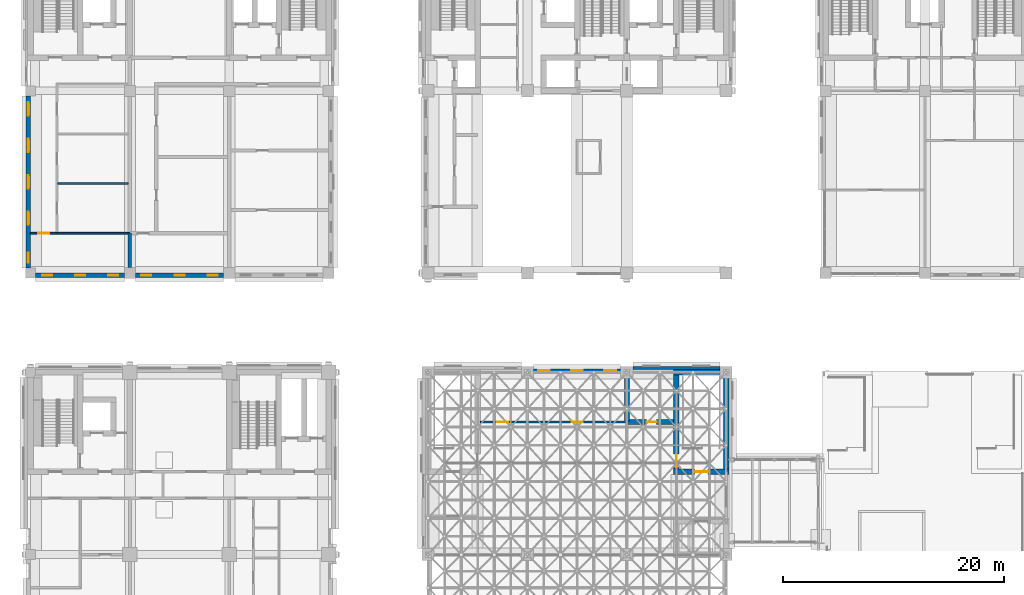
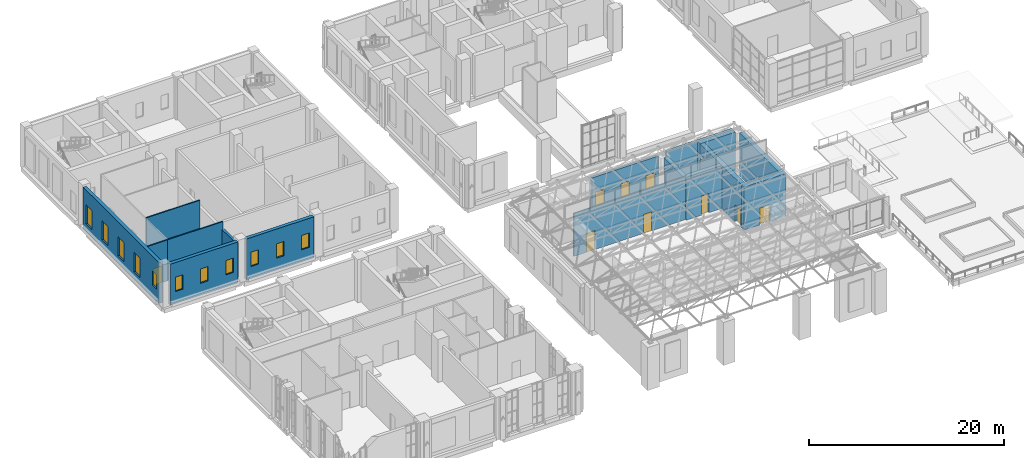
# One storey, part 28 of 53: 16 walls, 14 windows, 6 doors, 20 openings.
"""IFC4 building model written with IfcOpenShell, lengths in metres."""

from ifc_helpers import new_model, si_unit, direction, frame, frame_2d, origin, place, context, subcontext, project, spatial, rectangle, extrude, material, layer, layer_set, type_object, element, fill, save


model = new_model("IFC4")

# Units and contexts
model_context = context("Model", 3, precision=1e-05, world=origin(), true_north=direction((0.0, 1.0)))
body_context = subcontext(model_context, "Body", "Model", "MODEL_VIEW")
ifc_project = project(units=[si_unit("LENGTHUNIT", "METRE"), si_unit("AREAUNIT", "SQUARE_METRE"), si_unit("VOLUMEUNIT", "CUBIC_METRE"), si_unit("PLANEANGLEUNIT", "RADIAN"), si_unit("MASSUNIT", "GRAM", prefix="KILO")], contexts=[model_context])

# Site, building, storey
site_placement = place(None, origin())
site = spatial("IfcSite", under=ifc_project, at=site_placement, CompositionType="ELEMENT")
building_placement = place(site_placement, origin())
building = spatial("IfcBuilding", under=site, at=building_placement, Name="Aurelan Courthouse", CompositionType="ELEMENT")
storey_placement = place(building_placement, frame((0.0, 0.0, 12.0)))
storey = spatial("IfcBuildingStorey", under=building, at=storey_placement, Name="L02", CompositionType="ELEMENT", Elevation=12.0)

# Wall, opening, door
ifc_material_1 = material(Name="Reinforced concrete block", Category="concrete")
ifc_layer_1 = layer(ifc_material_1, 0.449951171875)
ifc_layer_set_1 = layer_set([ifc_layer_1], Name="Reinforced concrete block")
wall_type_1 = type_object("IfcWallType", Name="Archive fire wall 450 EI 60", PredefinedType="PARTITIONING", material=ifc_layer_set_1)
wall_1_placement = place(storey_placement, frame((54.0, 24.0, 0.0), z_axis=(0.0, 0.0, 1.0), x_axis=(1.0, 0.0, 0.0)))
wall_1 = element("IfcWall", 1, at=wall_1_placement, inside=storey, type_object=wall_type_1, Name="Archive fire wall L02-016", PredefinedType="PARTITIONING", context=body_context, shape_type="SweptSolid", body=[
    extrude(rectangle(XDim=4.25, YDim=0.449951171875, at=frame_2d((2.125, 0.0))), origin(), (0.0, 0.0, 1.0), 5.39990234375),
])
opening_1_placement = place(wall_1_placement, frame((2.699951171875, 0.0, 0.0), z_axis=(0.0, 0.0, 1.0), x_axis=(-1.0, 0.0, 0.0)))
opening_1 = element("IfcOpeningElement", 2, at=opening_1_placement, cuts=wall_1, Name="Opening D-L02-008", PredefinedType="OPENING", context=body_context, shape_type="SweptSolid", body=[
    extrude(rectangle(XDim=0.89990234375, YDim=2.39990234375, at=frame_2d((0.449951171875, 1.199951171875))), frame((0.0, 0.23486328125, 0.0), z_axis=(0.0, -1.0, 0.0), x_axis=(1.0, 0.0, 0.0)), (0.0, 0.0, 1.0), 0.469970703125),
])
ifc_material_2 = material(Name="Steel", Category="steel")
door_type_1 = type_object("IfcDoorType", Name="Single door 900 x 2400 FD60", OperationType="SINGLE_SWING_LEFT", PredefinedType="DOOR", material=ifc_material_2)
door_1_placement = place(opening_1_placement, origin())
door_1 = element("IfcDoor", 3, at=door_1_placement, inside=storey, type_object=door_type_1, Name="Single door D-L02-008", OperationType="SINGLE_SWING_LEFT", OverallHeight=2.39990234375, OverallWidth=0.89990234375, PredefinedType="DOOR", context=body_context, shape_type="SweptSolid", body=[
    extrude(rectangle(XDim=0.89990234375, YDim=2.39990234375, at=frame_2d((0.449951171875, 1.199951171875))), frame((0.0, 0.02490234375, 0.0), z_axis=(0.0, -1.0, 0.0), x_axis=(1.0, 0.0, 0.0)), (0.0, 0.0, 1.0), 0.050048828125),
])
fill(opening_1, door_1)

# Wall
wall_2_placement = place(storey_placement, frame((54.0, 24.074951171875, 0.0), z_axis=(0.0, 0.0, 1.0), x_axis=(0.0, 1.0, 0.0)))
element("IfcWall", 4, at=wall_2_placement, inside=storey, type_object=wall_type_1, Name="Archive fire wall L02-073", PredefinedType="PARTITIONING", context=body_context, shape_type="SweptSolid", body=[
    extrude(rectangle(XDim=3.875, YDim=0.449951171875, at=frame_2d((1.9375, 0.0))), origin(), (0.0, 0.0, 1.0), 5.39990234375),
])

# Wall, openings, windows
ifc_material_3 = material(Name="Limestone cladding", Category="masonry")
ifc_layer_2 = layer(ifc_material_3, 0.0849609375, Name="Facing")
ifc_material_4 = material(Name="Ventilated cavity")
ifc_layer_3 = layer(ifc_material_4, 0.02490234375, ventilated=True, Name="Ventilated cavity")
ifc_material_5 = material(Name="Mineral wool insulation")
ifc_layer_4 = layer(ifc_material_5, 0.044921875, Name="Insulation")
ifc_material_6 = material(Name="Concrete C30", Category="concrete")
ifc_layer_5 = layer(ifc_material_6, 0.14501953125, Name="Structure")
ifc_layer_set_2 = layer_set([ifc_layer_2, ifc_layer_3, ifc_layer_4, ifc_layer_5], Name="Concrete C30")
wall_type_2 = type_object("IfcWallType", Name="Ceremonial Court stone-faced wall 300", PredefinedType="SOLIDWALL", material=ifc_layer_set_2)
wall_3_placement = place(storey_placement, frame((45.550048828125, 28.64990234375, 0.0), z_axis=(0.0, 0.0, 1.0), x_axis=(1.0, 0.0, 0.0)))
wall_3 = element("IfcWall", 5, at=wall_3_placement, inside=storey, type_object=wall_type_2, Name="Facade wall FW-V1-L02-002", PredefinedType="SOLIDWALL", context=body_context, shape_type="SweptSolid", body=[
    extrude(rectangle(XDim=7.89990234375, YDim=0.300048828125, at=frame_2d((3.949951171875, 0.0))), origin(), (0.0, 0.0, 1.0), 5.39990234375),
])
opening_2_placement = place(wall_3_placement, frame((0.425048828125, 0.0, 1.050048828125)))
opening_2 = element("IfcOpeningElement", 6, at=opening_2_placement, cuts=wall_3, Name="Opening WN-V1-L02-002", PredefinedType="OPENING", context=body_context, shape_type="SweptSolid", body=[
    extrude(rectangle(XDim=1.050048828125, YDim=2.39990234375, at=frame_2d((0.52490234375, 1.199951171875))), frame((0.0, 0.159912109375, 0.0), z_axis=(0.0, -1.0, 0.0), x_axis=(1.0, 0.0, 0.0)), (0.0, 0.0, 1.0), 0.320068359375),
])
opening_3_placement = place(wall_3_placement, frame((3.425048828125, 0.0, 1.050048828125)))
opening_3 = element("IfcOpeningElement", 7, at=opening_3_placement, cuts=wall_3, Name="Opening WN-V1-L02-003", PredefinedType="OPENING", context=body_context, shape_type="SweptSolid", body=[
    extrude(rectangle(XDim=1.050048828125, YDim=2.39990234375, at=frame_2d((0.52490234375, 1.199951171875))), frame((0.0, 0.159912109375, 0.0), z_axis=(0.0, -1.0, 0.0), x_axis=(1.0, 0.0, 0.0)), (0.0, 0.0, 1.0), 0.320068359375),
])
opening_4_placement = place(wall_3_placement, frame((6.425048828125, 0.0, 1.050048828125)))
opening_4 = element("IfcOpeningElement", 8, at=opening_4_placement, cuts=wall_3, Name="Opening WN-V1-L02-004", PredefinedType="OPENING", context=body_context, shape_type="SweptSolid", body=[
    extrude(rectangle(XDim=1.050048828125, YDim=2.39990234375, at=frame_2d((0.52490234375, 1.199951171875))), frame((0.0, 0.159912109375, 0.0), z_axis=(0.0, -1.0, 0.0), x_axis=(1.0, 0.0, 0.0)), (0.0, 0.0, 1.0), 0.320068359375),
])
ifc_material_7 = material(Name="Bronze-finished aluminium and glass", Category="aluminium")
window_type_1 = type_object("IfcWindowType", Name="Ceremonial Court window 1050 x 2400, sill 1050", PartitioningType="SINGLE_PANEL", PredefinedType="WINDOW", material=ifc_material_7)
window_1_placement = place(opening_2_placement, origin())
window_1 = element("IfcWindow", 9, at=window_1_placement, inside=storey, type_object=window_type_1, Name="Window WN-V1-L02-002", OverallHeight=2.39990234375, OverallWidth=1.050048828125, PartitioningType="SINGLE_PANEL", PredefinedType="WINDOW", context=body_context, shape_type="SweptSolid", body=[
    extrude(rectangle(XDim=1.050048828125, YDim=2.39990234375, at=frame_2d((0.52490234375, 1.199951171875))), frame((0.0, 0.030029296875, 0.0), z_axis=(0.0, -1.0, 0.0), x_axis=(1.0, 0.0, 0.0)), (0.0, 0.0, 1.0), 0.06005859375),
])
fill(opening_2, window_1)
window_2_placement = place(opening_3_placement, origin())
window_2 = element("IfcWindow", 10, at=window_2_placement, inside=storey, type_object=window_type_1, Name="Window WN-V1-L02-003", OverallHeight=2.39990234375, OverallWidth=1.050048828125, PartitioningType="SINGLE_PANEL", PredefinedType="WINDOW", context=body_context, shape_type="SweptSolid", body=[
    extrude(rectangle(XDim=1.050048828125, YDim=2.39990234375, at=frame_2d((0.52490234375, 1.199951171875))), frame((0.0, 0.030029296875, 0.0), z_axis=(0.0, -1.0, 0.0), x_axis=(1.0, 0.0, 0.0)), (0.0, 0.0, 1.0), 0.06005859375),
])
fill(opening_3, window_2)
window_3_placement = place(opening_4_placement, origin())
window_3 = element("IfcWindow", 11, at=window_3_placement, inside=storey, type_object=window_type_1, Name="Window WN-V1-L02-004", OverallHeight=2.39990234375, OverallWidth=1.050048828125, PartitioningType="SINGLE_PANEL", PredefinedType="WINDOW", context=body_context, shape_type="SweptSolid", body=[
    extrude(rectangle(XDim=1.050048828125, YDim=2.39990234375, at=frame_2d((0.52490234375, 1.199951171875))), frame((0.0, 0.030029296875, 0.0), z_axis=(0.0, -1.0, 0.0), x_axis=(1.0, 0.0, 0.0)), (0.0, 0.0, 1.0), 0.06005859375),
])
fill(opening_4, window_3)

# Wall
wall_4_placement = place(storey_placement, frame((54.550048828125, 28.89990234375, 0.0), z_axis=(0.0, 0.0, 1.0), x_axis=(1.0, 0.0, 0.0)))
element("IfcWall", 12, at=wall_4_placement, inside=storey, type_object=wall_type_2, Name="Facade wall FW-V1-L02-003", PredefinedType="SOLIDWALL", context=body_context, shape_type="SweptSolid", body=[
    extrude(rectangle(XDim=7.89990234375, YDim=0.300048828125, at=frame_2d((3.949951171875, 0.0))), origin(), (0.0, 0.0, 1.0), 5.39990234375),
])

# Wall, opening, door
ifc_material_8 = material(Name="Gypsum board on metal studs")
ifc_layer_6 = layer(ifc_material_8, 0.14990234375)
ifc_layer_set_3 = layer_set([ifc_layer_6], Name="Gypsum board on metal studs")
wall_type_3 = type_object("IfcWallType", Name="Corridor partition 150 EI 60", PredefinedType="PARTITIONING", material=ifc_layer_set_3)
wall_5_placement = place(storey_placement, frame((0.0, 41.10009765625, 0.0), z_axis=(0.0, 0.0, 1.0), x_axis=(1.0, 0.0, 0.0)))
wall_5 = element("IfcWall", 13, at=wall_5_placement, inside=storey, type_object=wall_type_3, Name="Corridor partition L02-017", PredefinedType="PARTITIONING", context=body_context, shape_type="SweptSolid", body=[
    extrude(rectangle(XDim=2.39990234375, YDim=0.14990234375, at=frame_2d((1.199951171875, 0.0))), origin(), (0.0, 0.0, 1.0), 5.14990234375),
])
opening_5_placement = place(wall_5_placement, frame((1.699951171875, 0.0, 0.0), z_axis=(0.0, 0.0, 1.0), x_axis=(-1.0, 0.0, 0.0)))
opening_5 = element("IfcOpeningElement", 14, at=opening_5_placement, cuts=wall_5, Name="Opening D-L02-086", PredefinedType="OPENING", context=body_context, shape_type="SweptSolid", body=[
    extrude(rectangle(XDim=1.0, YDim=2.10009765625, at=frame_2d((0.5, 1.050048828125))), frame((0.0, 0.0849609375, 0.0), z_axis=(0.0, -1.0, 0.0), x_axis=(1.0, 0.0, 0.0)), (0.0, 0.0, 1.0), 0.169921875),
])
door_type_2 = type_object("IfcDoorType", Name="Single door 1000 x 2100 FD60", OperationType="SINGLE_SWING_LEFT", PredefinedType="DOOR", material=ifc_material_2)
door_2_placement = place(opening_5_placement, origin())
door_2 = element("IfcDoor", 15, at=door_2_placement, inside=storey, type_object=door_type_2, Name="Single door D-L02-086", OperationType="SINGLE_SWING_RIGHT", OverallHeight=2.10009765625, OverallWidth=1.0, PredefinedType="DOOR", context=body_context, shape_type="SweptSolid", body=[
    extrude(rectangle(XDim=1.0, YDim=2.10009765625, at=frame_2d((0.5, 1.050048828125))), frame((0.0, 0.02490234375, 0.0), z_axis=(0.0, -1.0, 0.0), x_axis=(1.0, 0.0, 0.0)), (0.0, 0.0, 1.0), 0.050048828125),
])
fill(opening_5, door_2)

# Wall, openings, windows
ifc_layer_7 = layer(ifc_material_3, 0.114990234375, Name="Facing")
ifc_layer_8 = layer(ifc_material_4, 0.02490234375, ventilated=True, Name="Ventilated cavity")
ifc_layer_9 = layer(ifc_material_5, 0.054931640625, Name="Insulation")
ifc_layer_10 = layer(ifc_material_6, 0.205078125, Name="Structure")
ifc_layer_set_4 = layer_set([ifc_layer_7, ifc_layer_8, ifc_layer_9, ifc_layer_10], Name="Concrete C30")
wall_type_4 = type_object("IfcWallType", Name="Custody Suite stone-faced wall 400", PredefinedType="SOLIDWALL", material=ifc_layer_set_4)
wall_6_placement = place(storey_placement, frame((0.449951171875, 37.300048828125, 0.0), z_axis=(0.0, 0.0, 1.0), x_axis=(1.0, 0.0, 0.0)))
wall_6 = element("IfcWall", 16, at=wall_6_placement, inside=storey, type_object=wall_type_4, Name="Facade wall FW-V6-L02-001", PredefinedType="SOLIDWALL", context=body_context, shape_type="SweptSolid", body=[
    extrude(rectangle(XDim=8.050048828125, YDim=0.39990234375, at=frame_2d((4.02490234375, 0.0))), origin(), (0.0, 0.0, 1.0), 5.14990234375),
])
opening_6_placement = place(wall_6_placement, frame((0.60009765625, 0.0, 1.5)))
opening_6 = element("IfcOpeningElement", 17, at=opening_6_placement, cuts=wall_6, Name="Opening WN-V6-L02-001", PredefinedType="OPENING", context=body_context, shape_type="SweptSolid", body=[
    extrude(rectangle(XDim=0.89990234375, YDim=1.800048828125, at=frame_2d((0.449951171875, 0.89990234375))), frame((0.0, 0.2099609375, 0.0), z_axis=(0.0, -1.0, 0.0), x_axis=(1.0, 0.0, 0.0)), (0.0, 0.0, 1.0), 0.419921875),
])
opening_7_placement = place(wall_6_placement, frame((3.60009765625, 0.0, 1.5)))
opening_7 = element("IfcOpeningElement", 18, at=opening_7_placement, cuts=wall_6, Name="Opening WN-V6-L02-002", PredefinedType="OPENING", context=body_context, shape_type="SweptSolid", body=[
    extrude(rectangle(XDim=0.89990234375, YDim=1.800048828125, at=frame_2d((0.449951171875, 0.89990234375))), frame((0.0, 0.2099609375, 0.0), z_axis=(0.0, -1.0, 0.0), x_axis=(1.0, 0.0, 0.0)), (0.0, 0.0, 1.0), 0.419921875),
])
opening_8_placement = place(wall_6_placement, frame((6.60009765625, 0.0, 1.5)))
opening_8 = element("IfcOpeningElement", 19, at=opening_8_placement, cuts=wall_6, Name="Opening WN-V6-L02-003", PredefinedType="OPENING", context=body_context, shape_type="SweptSolid", body=[
    extrude(rectangle(XDim=0.89990234375, YDim=1.800048828125, at=frame_2d((0.449951171875, 0.89990234375))), frame((0.0, 0.2099609375, 0.0), z_axis=(0.0, -1.0, 0.0), x_axis=(1.0, 0.0, 0.0)), (0.0, 0.0, 1.0), 0.419921875),
])
window_type_2 = type_object("IfcWindowType", Name="Custody Suite window 900 x 1800, sill 1500", PartitioningType="SINGLE_PANEL", PredefinedType="WINDOW", material=ifc_material_7)
window_4_placement = place(opening_6_placement, origin())
window_4 = element("IfcWindow", 20, at=window_4_placement, inside=storey, type_object=window_type_2, Name="Window WN-V6-L02-001", OverallHeight=1.800048828125, OverallWidth=0.89990234375, PartitioningType="SINGLE_PANEL", PredefinedType="WINDOW", context=body_context, shape_type="SweptSolid", body=[
    extrude(rectangle(XDim=0.89990234375, YDim=1.800048828125, at=frame_2d((0.449951171875, 0.89990234375))), frame((0.0, 0.030029296875, 0.0), z_axis=(0.0, -1.0, 0.0), x_axis=(1.0, 0.0, 0.0)), (0.0, 0.0, 1.0), 0.06005859375),
])
fill(opening_6, window_4)
window_5_placement = place(opening_7_placement, origin())
window_5 = element("IfcWindow", 21, at=window_5_placement, inside=storey, type_object=window_type_2, Name="Window WN-V6-L02-002", OverallHeight=1.800048828125, OverallWidth=0.89990234375, PartitioningType="SINGLE_PANEL", PredefinedType="WINDOW", context=body_context, shape_type="SweptSolid", body=[
    extrude(rectangle(XDim=0.89990234375, YDim=1.800048828125, at=frame_2d((0.449951171875, 0.89990234375))), frame((0.0, 0.030029296875, 0.0), z_axis=(0.0, -1.0, 0.0), x_axis=(1.0, 0.0, 0.0)), (0.0, 0.0, 1.0), 0.06005859375),
])
fill(opening_7, window_5)
window_6_placement = place(opening_8_placement, origin())
window_6 = element("IfcWindow", 22, at=window_6_placement, inside=storey, type_object=window_type_2, Name="Window WN-V6-L02-003", OverallHeight=1.800048828125, OverallWidth=0.89990234375, PartitioningType="SINGLE_PANEL", PredefinedType="WINDOW", context=body_context, shape_type="SweptSolid", body=[
    extrude(rectangle(XDim=0.89990234375, YDim=1.800048828125, at=frame_2d((0.449951171875, 0.89990234375))), frame((0.0, 0.030029296875, 0.0), z_axis=(0.0, -1.0, 0.0), x_axis=(1.0, 0.0, 0.0)), (0.0, 0.0, 1.0), 0.06005859375),
])
fill(opening_8, window_6)

wall_7_placement = place(storey_placement, frame((9.5, 37.300048828125, 0.0), z_axis=(0.0, 0.0, 1.0), x_axis=(1.0, 0.0, 0.0)))
wall_7 = element("IfcWall", 23, at=wall_7_placement, inside=storey, type_object=wall_type_4, Name="Facade wall FW-V6-L02-002", PredefinedType="SOLIDWALL", context=body_context, shape_type="SweptSolid", body=[
    extrude(rectangle(XDim=8.0, YDim=0.39990234375, at=frame_2d((4.0, 0.0))), origin(), (0.0, 0.0, 1.0), 5.14990234375),
])
opening_9_placement = place(wall_7_placement, frame((0.550048828125, 0.0, 1.5)))
opening_9 = element("IfcOpeningElement", 24, at=opening_9_placement, cuts=wall_7, Name="Opening WN-V6-L02-004", PredefinedType="OPENING", context=body_context, shape_type="SweptSolid", body=[
    extrude(rectangle(XDim=0.89990234375, YDim=1.800048828125, at=frame_2d((0.449951171875, 0.89990234375))), frame((0.0, 0.2099609375, 0.0), z_axis=(0.0, -1.0, 0.0), x_axis=(1.0, 0.0, 0.0)), (0.0, 0.0, 1.0), 0.419921875),
])
opening_10_placement = place(wall_7_placement, frame((3.550048828125, 0.0, 1.5)))
opening_10 = element("IfcOpeningElement", 25, at=opening_10_placement, cuts=wall_7, Name="Opening WN-V6-L02-005", PredefinedType="OPENING", context=body_context, shape_type="SweptSolid", body=[
    extrude(rectangle(XDim=0.89990234375, YDim=1.800048828125, at=frame_2d((0.449951171875, 0.89990234375))), frame((0.0, 0.2099609375, 0.0), z_axis=(0.0, -1.0, 0.0), x_axis=(1.0, 0.0, 0.0)), (0.0, 0.0, 1.0), 0.419921875),
])
opening_11_placement = place(wall_7_placement, frame((6.550048828125, 0.0, 1.5)))
opening_11 = element("IfcOpeningElement", 26, at=opening_11_placement, cuts=wall_7, Name="Opening WN-V6-L02-006", PredefinedType="OPENING", context=body_context, shape_type="SweptSolid", body=[
    extrude(rectangle(XDim=0.89990234375, YDim=1.800048828125, at=frame_2d((0.449951171875, 0.89990234375))), frame((0.0, 0.2099609375, 0.0), z_axis=(0.0, -1.0, 0.0), x_axis=(1.0, 0.0, 0.0)), (0.0, 0.0, 1.0), 0.419921875),
])
window_7_placement = place(opening_9_placement, origin())
window_7 = element("IfcWindow", 27, at=window_7_placement, inside=storey, type_object=window_type_2, Name="Window WN-V6-L02-004", OverallHeight=1.800048828125, OverallWidth=0.89990234375, PartitioningType="SINGLE_PANEL", PredefinedType="WINDOW", context=body_context, shape_type="SweptSolid", body=[
    extrude(rectangle(XDim=0.89990234375, YDim=1.800048828125, at=frame_2d((0.449951171875, 0.89990234375))), frame((0.0, 0.030029296875, 0.0), z_axis=(0.0, -1.0, 0.0), x_axis=(1.0, 0.0, 0.0)), (0.0, 0.0, 1.0), 0.06005859375),
])
fill(opening_9, window_7)
window_8_placement = place(opening_10_placement, origin())
window_8 = element("IfcWindow", 28, at=window_8_placement, inside=storey, type_object=window_type_2, Name="Window WN-V6-L02-005", OverallHeight=1.800048828125, OverallWidth=0.89990234375, PartitioningType="SINGLE_PANEL", PredefinedType="WINDOW", context=body_context, shape_type="SweptSolid", body=[
    extrude(rectangle(XDim=0.89990234375, YDim=1.800048828125, at=frame_2d((0.449951171875, 0.89990234375))), frame((0.0, 0.030029296875, 0.0), z_axis=(0.0, -1.0, 0.0), x_axis=(1.0, 0.0, 0.0)), (0.0, 0.0, 1.0), 0.06005859375),
])
fill(opening_10, window_8)
window_9_placement = place(opening_11_placement, origin())
window_9 = element("IfcWindow", 29, at=window_9_placement, inside=storey, type_object=window_type_2, Name="Window WN-V6-L02-006", OverallHeight=1.800048828125, OverallWidth=0.89990234375, PartitioningType="SINGLE_PANEL", PredefinedType="WINDOW", context=body_context, shape_type="SweptSolid", body=[
    extrude(rectangle(XDim=0.89990234375, YDim=1.800048828125, at=frame_2d((0.449951171875, 0.89990234375))), frame((0.0, 0.030029296875, 0.0), z_axis=(0.0, -1.0, 0.0), x_axis=(1.0, 0.0, 0.0)), (0.0, 0.0, 1.0), 0.06005859375),
])
fill(opening_11, window_9)

wall_8_placement = place(storey_placement, frame((-0.199951171875, 37.949951171875, 0.0), z_axis=(0.0, 0.0, 1.0), x_axis=(0.0, 1.0, 0.0)))
wall_8 = element("IfcWall", 30, at=wall_8_placement, inside=storey, type_object=wall_type_4, Name="Facade wall FW-V6-L02-009", PredefinedType="SOLIDWALL", context=body_context, shape_type="SweptSolid", body=[
    extrude(rectangle(XDim=15.60009765625, YDim=0.39990234375, at=frame_2d((7.800048828125, 0.0))), origin(), (0.0, 0.0, 1.0), 5.14990234375),
])
opening_12_placement = place(wall_8_placement, frame((3.89990234375, 0.0, 0.89990234375)))
opening_12 = element("IfcOpeningElement", 31, at=opening_12_placement, cuts=wall_8, Name="Opening WN-V6-L02-020", PredefinedType="OPENING", context=body_context, shape_type="SweptSolid", body=[
    extrude(rectangle(XDim=1.199951171875, YDim=2.39990234375, at=frame_2d((0.60009765625, 1.199951171875))), frame((0.0, 0.2099609375, 0.0), z_axis=(0.0, -1.0, 0.0), x_axis=(1.0, 0.0, 0.0)), (0.0, 0.0, 1.0), 0.419921875),
])
opening_13_placement = place(wall_8_placement, frame((7.199951171875, 0.0, 0.89990234375)))
opening_13 = element("IfcOpeningElement", 32, at=opening_13_placement, cuts=wall_8, Name="Opening WN-V6-L02-021", PredefinedType="OPENING", context=body_context, shape_type="SweptSolid", body=[
    extrude(rectangle(XDim=1.199951171875, YDim=2.39990234375, at=frame_2d((0.60009765625, 1.199951171875))), frame((0.0, 0.2099609375, 0.0), z_axis=(0.0, -1.0, 0.0), x_axis=(1.0, 0.0, 0.0)), (0.0, 0.0, 1.0), 0.419921875),
])
opening_14_placement = place(wall_8_placement, frame((10.5, 0.0, 0.89990234375)))
opening_14 = element("IfcOpeningElement", 33, at=opening_14_placement, cuts=wall_8, Name="Opening WN-V6-L02-022", PredefinedType="OPENING", context=body_context, shape_type="SweptSolid", body=[
    extrude(rectangle(XDim=1.199951171875, YDim=2.39990234375, at=frame_2d((0.60009765625, 1.199951171875))), frame((0.0, 0.2099609375, 0.0), z_axis=(0.0, -1.0, 0.0), x_axis=(1.0, 0.0, 0.0)), (0.0, 0.0, 1.0), 0.419921875),
])
opening_15_placement = place(wall_8_placement, frame((13.800048828125, 0.0, 0.89990234375)))
opening_15 = element("IfcOpeningElement", 34, at=opening_15_placement, cuts=wall_8, Name="Opening WN-V6-L02-023", PredefinedType="OPENING", context=body_context, shape_type="SweptSolid", body=[
    extrude(rectangle(XDim=1.199951171875, YDim=2.39990234375, at=frame_2d((0.60009765625, 1.199951171875))), frame((0.0, 0.2099609375, 0.0), z_axis=(0.0, -1.0, 0.0), x_axis=(1.0, 0.0, 0.0)), (0.0, 0.0, 1.0), 0.419921875),
])
opening_16_placement = place(wall_8_placement, frame((0.47509765625, 0.0, 1.5)))
opening_16 = element("IfcOpeningElement", 35, at=opening_16_placement, cuts=wall_8, Name="Opening WN-V6-L02-024", PredefinedType="OPENING", context=body_context, shape_type="SweptSolid", body=[
    extrude(rectangle(XDim=0.89990234375, YDim=1.800048828125, at=frame_2d((0.449951171875, 0.89990234375))), frame((0.0, 0.2099609375, 0.0), z_axis=(0.0, -1.0, 0.0), x_axis=(1.0, 0.0, 0.0)), (0.0, 0.0, 1.0), 0.419921875),
])
window_type_3 = type_object("IfcWindowType", Name="Custody Suite glazed slot 1200 x 2400, sill 900", PartitioningType="SINGLE_PANEL", PredefinedType="WINDOW", material=ifc_material_7)
window_10_placement = place(opening_12_placement, origin())
window_10 = element("IfcWindow", 36, at=window_10_placement, inside=storey, type_object=window_type_3, Name="Glazed slot WN-V6-L02-020", OverallHeight=2.39990234375, OverallWidth=1.199951171875, PartitioningType="SINGLE_PANEL", PredefinedType="WINDOW", context=body_context, shape_type="SweptSolid", body=[
    extrude(rectangle(XDim=1.199951171875, YDim=2.39990234375, at=frame_2d((0.60009765625, 1.199951171875))), frame((0.0, 0.030029296875, 0.0), z_axis=(0.0, -1.0, 0.0), x_axis=(1.0, 0.0, 0.0)), (0.0, 0.0, 1.0), 0.06005859375),
])
fill(opening_12, window_10)
window_11_placement = place(opening_13_placement, origin())
window_11 = element("IfcWindow", 37, at=window_11_placement, inside=storey, type_object=window_type_3, Name="Glazed slot WN-V6-L02-021", OverallHeight=2.39990234375, OverallWidth=1.199951171875, PartitioningType="SINGLE_PANEL", PredefinedType="WINDOW", context=body_context, shape_type="SweptSolid", body=[
    extrude(rectangle(XDim=1.199951171875, YDim=2.39990234375, at=frame_2d((0.60009765625, 1.199951171875))), frame((0.0, 0.030029296875, 0.0), z_axis=(0.0, -1.0, 0.0), x_axis=(1.0, 0.0, 0.0)), (0.0, 0.0, 1.0), 0.06005859375),
])
fill(opening_13, window_11)
window_12_placement = place(opening_14_placement, origin())
window_12 = element("IfcWindow", 38, at=window_12_placement, inside=storey, type_object=window_type_3, Name="Glazed slot WN-V6-L02-022", OverallHeight=2.39990234375, OverallWidth=1.199951171875, PartitioningType="SINGLE_PANEL", PredefinedType="WINDOW", context=body_context, shape_type="SweptSolid", body=[
    extrude(rectangle(XDim=1.199951171875, YDim=2.39990234375, at=frame_2d((0.60009765625, 1.199951171875))), frame((0.0, 0.030029296875, 0.0), z_axis=(0.0, -1.0, 0.0), x_axis=(1.0, 0.0, 0.0)), (0.0, 0.0, 1.0), 0.06005859375),
])
fill(opening_14, window_12)
window_13_placement = place(opening_15_placement, origin())
window_13 = element("IfcWindow", 39, at=window_13_placement, inside=storey, type_object=window_type_3, Name="Glazed slot WN-V6-L02-023", OverallHeight=2.39990234375, OverallWidth=1.199951171875, PartitioningType="SINGLE_PANEL", PredefinedType="WINDOW", context=body_context, shape_type="SweptSolid", body=[
    extrude(rectangle(XDim=1.199951171875, YDim=2.39990234375, at=frame_2d((0.60009765625, 1.199951171875))), frame((0.0, 0.030029296875, 0.0), z_axis=(0.0, -1.0, 0.0), x_axis=(1.0, 0.0, 0.0)), (0.0, 0.0, 1.0), 0.06005859375),
])
fill(opening_15, window_13)
window_14_placement = place(opening_16_placement, origin())
window_14 = element("IfcWindow", 40, at=window_14_placement, inside=storey, type_object=window_type_2, Name="Window WN-V6-L02-024", OverallHeight=1.800048828125, OverallWidth=0.89990234375, PartitioningType="SINGLE_PANEL", PredefinedType="WINDOW", context=body_context, shape_type="SweptSolid", body=[
    extrude(rectangle(XDim=0.89990234375, YDim=1.800048828125, at=frame_2d((0.449951171875, 0.89990234375))), frame((0.0, 0.030029296875, 0.0), z_axis=(0.0, -1.0, 0.0), x_axis=(1.0, 0.0, 0.0)), (0.0, 0.0, 1.0), 0.06005859375),
])
fill(opening_16, window_14)

# Wall
ifc_layer_11 = layer(ifc_material_6, 0.300048828125)
ifc_layer_set_5 = layer_set([ifc_layer_11], Name="Concrete C30")
wall_type_5 = type_object("IfcWallType", Name="Custody wall 300 EI 120", PredefinedType="PARTITIONING", material=ifc_layer_set_5)
wall_9_placement = place(storey_placement, frame((9.0, 38.0, 0.0), z_axis=(0.0, 0.0, 1.0), x_axis=(0.0, 1.0, 0.0)))
element("IfcWall", 41, at=wall_9_placement, inside=storey, type_object=wall_type_5, Name="Custody wall L02-056", PredefinedType="PARTITIONING", context=body_context, shape_type="SweptSolid", body=[
    extrude(rectangle(XDim=3.10009765625, YDim=0.300048828125, at=frame_2d((1.550048828125, 0.0))), origin(), (0.0, 0.0, 1.0), 4.199951171875),
])

# Wall, openings, doors
ifc_layer_12 = layer(ifc_material_8, 0.14990234375)
ifc_layer_set_6 = layer_set([ifc_layer_12], Name="Gypsum board on metal studs")
wall_type_6 = type_object("IfcWallType", Name="Partition 150 NOT RATED", PredefinedType="PARTITIONING", material=ifc_layer_set_6)
wall_10_placement = place(storey_placement, frame((40.75, 24.0, 0.0), z_axis=(0.0, 0.0, 1.0), x_axis=(1.0, 0.0, 0.0)))
wall_10 = element("IfcWall", 42, at=wall_10_placement, inside=storey, type_object=wall_type_6, Name="Partition L02-015", PredefinedType="PARTITIONING", context=body_context, shape_type="SweptSolid", body=[
    extrude(rectangle(XDim=13.25, YDim=0.14990234375, at=frame_2d((6.625, 0.0))), origin(), (0.0, 0.0, 1.0), 5.39990234375),
])
opening_17_placement = place(wall_10_placement, frame((2.5, 0.0, 0.0), z_axis=(0.0, 0.0, 1.0), x_axis=(-1.0, 0.0, 0.0)))
opening_17 = element("IfcOpeningElement", 43, at=opening_17_placement, cuts=wall_10, Name="Opening D-L02-006", PredefinedType="OPENING", context=body_context, shape_type="SweptSolid", body=[
    extrude(rectangle(XDim=1.0, YDim=2.39990234375, at=frame_2d((0.5, 1.199951171875))), frame((0.0, 0.0849609375, 0.0), z_axis=(0.0, -1.0, 0.0), x_axis=(1.0, 0.0, 0.0)), (0.0, 0.0, 1.0), 0.169921875),
])
opening_18_placement = place(wall_10_placement, frame((9.25, 0.0, 0.0), z_axis=(0.0, 0.0, 1.0), x_axis=(-1.0, 0.0, 0.0)))
opening_18 = element("IfcOpeningElement", 44, at=opening_18_placement, cuts=wall_10, Name="Opening D-L02-007", PredefinedType="OPENING", context=body_context, shape_type="SweptSolid", body=[
    extrude(rectangle(XDim=1.0, YDim=2.39990234375, at=frame_2d((0.5, 1.199951171875))), frame((0.0, 0.0849609375, 0.0), z_axis=(0.0, -1.0, 0.0), x_axis=(1.0, 0.0, 0.0)), (0.0, 0.0, 1.0), 0.169921875),
])
ifc_material_9 = material(Name="Timber", Category="wood")
door_type_3 = type_object("IfcDoorType", Name="Single door 1000 x 2400 NOT RATED", OperationType="SINGLE_SWING_LEFT", PredefinedType="DOOR", material=ifc_material_9)
door_3_placement = place(opening_17_placement, origin())
door_3 = element("IfcDoor", 45, at=door_3_placement, inside=storey, type_object=door_type_3, Name="Single door D-L02-006", OperationType="SINGLE_SWING_RIGHT", OverallHeight=2.39990234375, OverallWidth=1.0, PredefinedType="DOOR", context=body_context, shape_type="SweptSolid", body=[
    extrude(rectangle(XDim=1.0, YDim=2.39990234375, at=frame_2d((0.5, 1.199951171875))), frame((0.0, 0.02490234375, 0.0), z_axis=(0.0, -1.0, 0.0), x_axis=(1.0, 0.0, 0.0)), (0.0, 0.0, 1.0), 0.050048828125),
])
fill(opening_17, door_3)
door_4_placement = place(opening_18_placement, origin())
door_4 = element("IfcDoor", 46, at=door_4_placement, inside=storey, type_object=door_type_3, Name="Single door D-L02-007", OperationType="SINGLE_SWING_LEFT", OverallHeight=2.39990234375, OverallWidth=1.0, PredefinedType="DOOR", context=body_context, shape_type="SweptSolid", body=[
    extrude(rectangle(XDim=1.0, YDim=2.39990234375, at=frame_2d((0.5, 1.199951171875))), frame((0.0, 0.02490234375, 0.0), z_axis=(0.0, -1.0, 0.0), x_axis=(1.0, 0.0, 0.0)), (0.0, 0.0, 1.0), 0.050048828125),
])
fill(opening_18, door_4)

# Walls
wall_11_placement = place(storey_placement, frame((2.39990234375, 41.10009765625, 0.0), z_axis=(0.0, 0.0, 1.0), x_axis=(1.0, 0.0, 0.0)))
element("IfcWall", 47, at=wall_11_placement, inside=storey, type_object=wall_type_6, Name="Partition L02-018", PredefinedType="PARTITIONING", context=body_context, shape_type="SweptSolid", body=[
    extrude(rectangle(XDim=6.60009765625, YDim=0.14990234375, at=frame_2d((3.300048828125, 0.0))), origin(), (0.0, 0.0, 1.0), 5.14990234375),
])
wall_12_placement = place(storey_placement, frame((2.47509765625, 45.60009765625, 0.0), z_axis=(0.0, 0.0, 1.0), x_axis=(1.0, 0.0, 0.0)))
element("IfcWall", 48, at=wall_12_placement, inside=storey, type_object=wall_type_6, Name="Partition L02-023", PredefinedType="PARTITIONING", context=body_context, shape_type="SweptSolid", body=[
    extrude(rectangle(XDim=6.375, YDim=0.14990234375, at=frame_2d((3.1875, 0.0))), origin(), (0.0, 0.0, 1.0), 5.14990234375),
])

# Wall, opening, door
ifc_material_10 = material(Name="Concrete C50", Category="concrete")
ifc_layer_13 = layer(ifc_material_10, 0.5)
ifc_layer_set_7 = layer_set([ifc_layer_13], Name="Concrete C50")
wall_type_7 = type_object("IfcWallType", Name="RC shear wall 500", PredefinedType="SHEAR", material=ifc_layer_set_7)
wall_13_placement = place(storey_placement, frame((58.25, 19.5, 0.0), z_axis=(0.0, 0.0, 1.0), x_axis=(1.0, 0.0, 0.0)))
wall_13 = element("IfcWall", 49, at=wall_13_placement, inside=storey, type_object=wall_type_7, Name="Core wall SW-L02-008", PredefinedType="SHEAR", context=body_context, shape_type="SweptSolid", body=[
    extrude(rectangle(XDim=5.0, YDim=0.5, at=frame_2d((2.5, 0.0))), origin(), (0.0, 0.0, 1.0), 5.39990234375),
])
opening_19_placement = place(wall_13_placement, frame((1.89990234375, 0.0, 0.0)))
opening_19 = element("IfcOpeningElement", 50, at=opening_19_placement, cuts=wall_13, Name="Opening D-L02-005", PredefinedType="OPENING", context=body_context, shape_type="SweptSolid", body=[
    extrude(rectangle(XDim=1.199951171875, YDim=2.10009765625, at=frame_2d((0.60009765625, 1.050048828125))), frame((0.0, 0.260009765625, 0.0), z_axis=(0.0, -1.0, 0.0), x_axis=(1.0, 0.0, 0.0)), (0.0, 0.0, 1.0), 0.52001953125),
])
door_type_4 = type_object("IfcDoorType", Name="Single door 1200 x 2100 FD90", OperationType="SINGLE_SWING_LEFT", PredefinedType="DOOR", material=ifc_material_2)
door_5_placement = place(opening_19_placement, origin())
door_5 = element("IfcDoor", 51, at=door_5_placement, inside=storey, type_object=door_type_4, Name="Single door D-L02-005", OperationType="SINGLE_SWING_RIGHT", OverallHeight=2.10009765625, OverallWidth=1.199951171875, PredefinedType="DOOR", context=body_context, shape_type="SweptSolid", body=[
    extrude(rectangle(XDim=1.199951171875, YDim=2.10009765625, at=frame_2d((0.60009765625, 1.050048828125))), frame((0.0, 0.02490234375, 0.0), z_axis=(0.0, -1.0, 0.0), x_axis=(1.0, 0.0, 0.0)), (0.0, 0.0, 1.0), 0.050048828125),
])
fill(opening_19, door_5)

wall_14_placement = place(storey_placement, frame((58.5, 19.75, 0.0), z_axis=(0.0, 0.0, 1.0), x_axis=(0.0, 1.0, 0.0)))
wall_14 = element("IfcWall", 52, at=wall_14_placement, inside=storey, type_object=wall_type_7, Name="Core wall SW-L02-017", PredefinedType="SHEAR", context=body_context, shape_type="SweptSolid", body=[
    extrude(rectangle(XDim=8.5, YDim=0.5, at=frame_2d((4.25, 0.0))), origin(), (0.0, 0.0, 1.0), 5.39990234375),
])
opening_20_placement = place(wall_14_placement, frame((1.349853515625, 0.0, 0.0), z_axis=(0.0, 0.0, 1.0), x_axis=(-1.0, 0.0, 0.0)))
opening_20 = element("IfcOpeningElement", 53, at=opening_20_placement, cuts=wall_14, Name="Opening D-L02-004", PredefinedType="OPENING", context=body_context, shape_type="SweptSolid", body=[
    extrude(rectangle(XDim=1.199951171875, YDim=2.10009765625, at=frame_2d((0.60009765625, 1.050048828125))), frame((0.0, 0.260009765625, 0.0), z_axis=(0.0, -1.0, 0.0), x_axis=(1.0, 0.0, 0.0)), (0.0, 0.0, 1.0), 0.52001953125),
])
door_6_placement = place(opening_20_placement, origin())
door_6 = element("IfcDoor", 54, at=door_6_placement, inside=storey, type_object=door_type_4, Name="Single door D-L02-004", OperationType="SINGLE_SWING_RIGHT", OverallHeight=2.10009765625, OverallWidth=1.199951171875, PredefinedType="DOOR", context=body_context, shape_type="SweptSolid", body=[
    extrude(rectangle(XDim=1.199951171875, YDim=2.10009765625, at=frame_2d((0.60009765625, 1.050048828125))), frame((0.0, 0.02490234375, 0.0), z_axis=(0.0, -1.0, 0.0), x_axis=(1.0, 0.0, 0.0)), (0.0, 0.0, 1.0), 0.050048828125),
])
fill(opening_20, door_6)

# Walls
wall_15_placement = place(storey_placement, frame((63.0, 19.75, 0.0), z_axis=(0.0, 0.0, 1.0), x_axis=(0.0, 1.0, 0.0)))
element("IfcWall", 55, at=wall_15_placement, inside=storey, type_object=wall_type_7, Name="Core wall SW-L02-018", PredefinedType="SHEAR", context=body_context, shape_type="SweptSolid", body=[
    extrude(rectangle(XDim=8.199951171875, YDim=0.5, at=frame_2d((4.10009765625, 0.0))), origin(), (0.0, 0.0, 1.0), 5.39990234375),
])
wall_16_placement = place(storey_placement, frame((58.25, 28.5, 0.0), z_axis=(0.0, 0.0, 1.0), x_axis=(1.0, 0.0, 0.0)))
element("IfcWall", 56, at=wall_16_placement, inside=storey, type_object=wall_type_7, Name="Core wall SW-L02-027", PredefinedType="SHEAR", context=body_context, shape_type="SweptSolid", body=[
    extrude(rectangle(XDim=4.199951171875, YDim=0.5, at=frame_2d((2.10009765625, 0.0))), origin(), (0.0, 0.0, 1.0), 5.39990234375),
])

save(model, "model.ifc")
